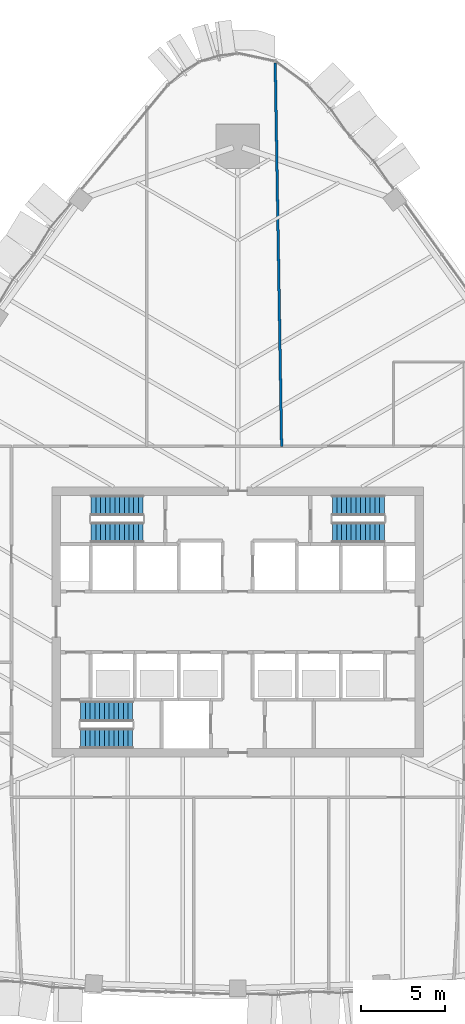
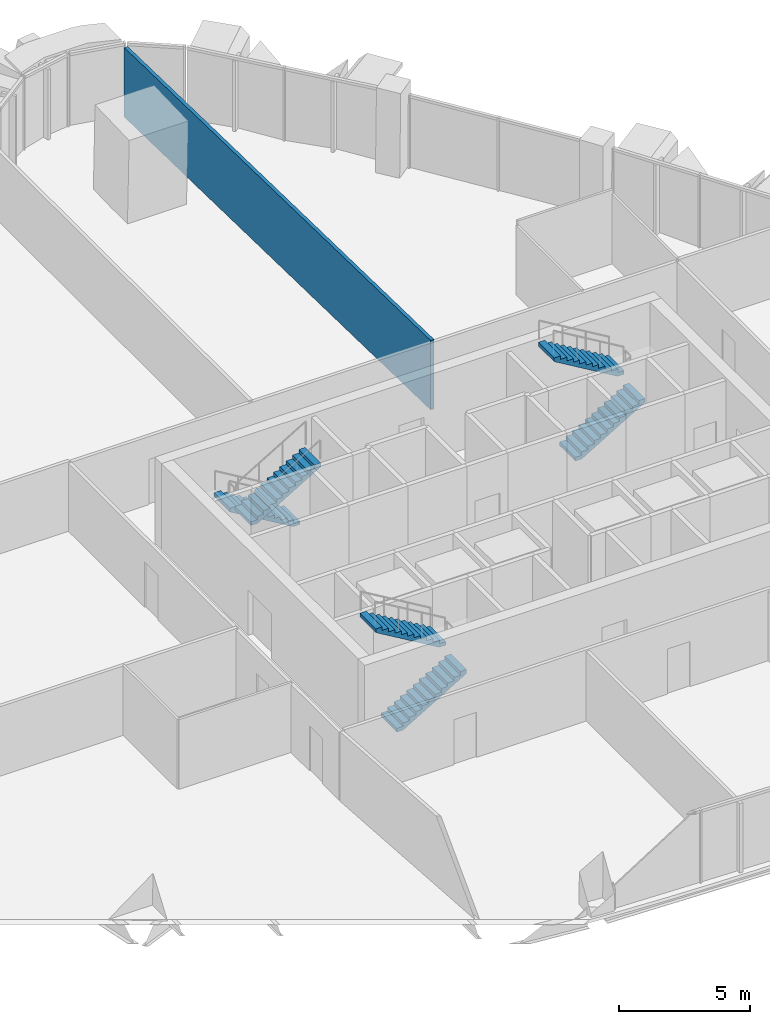
# One storey, part 13 of 17: 6 stair flights, 1 wall, 3 elements without a shape of their own.
"""IFC4 building model written with IfcOpenShell, lengths in metres."""

from ifc_helpers import new_model, si_unit, direction, frame, frame_2d, origin, place, context, subcontext, project, spatial, polyline, rectangle, outline, extrude, material, layer, layer_set, type_object, element, aggregate, save


model = new_model("IFC4")

# Units and contexts
model_context = context("Model", 3, precision=1e-05, world=origin(), true_north=direction((0.0, 1.0)))
body_context = subcontext(model_context, "Body", "Model", "MODEL_VIEW")
ifc_project = project(units=[si_unit("LENGTHUNIT", "METRE"), si_unit("AREAUNIT", "SQUARE_METRE"), si_unit("VOLUMEUNIT", "CUBIC_METRE"), si_unit("PLANEANGLEUNIT", "RADIAN"), si_unit("MASSUNIT", "GRAM", prefix="KILO")], contexts=[model_context])

# Site, building, storey
site_placement = place(None, origin())
site = spatial("IfcSite", under=ifc_project, at=site_placement, CompositionType="ELEMENT")
building_placement = place(site_placement, origin())
building = spatial("IfcBuilding", under=site, at=building_placement, Name="Sierra Prisma Convention Tower", CompositionType="ELEMENT")
storey_placement = place(building_placement, frame((0.0, 0.0, 149.800048828125)))
storey = spatial("IfcBuildingStorey", under=building, at=storey_placement, Name="L32", CompositionType="ELEMENT", Elevation=149.800048828125)

# Wall
ifc_material_1 = material(Name="Gypsum board partition", Category="gypsum")
ifc_layer = layer(ifc_material_1, 0.14990234375)
ifc_layer_set = layer_set([ifc_layer], Name="Party wall 150 gypsum")
wall_type = type_object("IfcWallType", Name="Party wall 150 gypsum", PredefinedType="PARTITIONING", material=ifc_layer_set)
wall_placement = place(storey_placement, frame((2.60009765625, 10.39990234375, 0.0), z_axis=(0.0, 0.0, 1.0), x_axis=(-0.01674277869, 0.999859829857, 0.0)))
element("IfcWall", 1, at=wall_placement, inside=storey, type_object=wall_type, Name="Partition L32 party 6", PredefinedType="PARTITIONING", context=body_context, shape_type="SweptSolid", body=[
    extrude(rectangle(XDim=22.718505859375, YDim=0.14990234375, at=frame_2d((11.359375, 0.0))), origin(), (0.0, 0.0, 1.0), 3.23388671875),
])

# Stair, stair flights
ifc_material_2 = material(Name="Concrete C30/37", Category="concrete")
stair_type = type_object("IfcStairType", Name="Stair dog-leg 1200 RC", PredefinedType="HALF_TURN_STAIR", material=ifc_material_2)
stair_1_placement = place(storey_placement, origin())
stair_1 = element("IfcStair", 2, at=stair_1_placement, inside=storey, type_object=stair_type, Name="L32 S1", PredefinedType="HALF_TURN_STAIR")
ifc_material_3 = material(Name="Concrete C30/37", Category="concrete")
stair_flight_type = type_object("IfcStairFlightType", Name="Stair flight RC 1200", PredefinedType="STRAIGHT", material=ifc_material_3)
stair_flight_1_placement = place(storey_placement, frame((-9.300048828125, -6.89990234375, 0.0), z_axis=(0.0, 0.0, 1.0), x_axis=(1.0, 0.0, 0.0)))
stair_flight_1 = element("IfcStairFlight", 3, at=stair_flight_1_placement, type_object=stair_flight_type, Name="S1 flight 1", NumberOfRisers=12, NumberOfTreads=11, PredefinedType="STRAIGHT", RiserHeight=0.166666667, TreadLength=0.28, context=body_context, shape_type="SweptSolid", body=[
    extrude(outline(polyline([(0.0, 0.0), (0.0, 0.166748046875), (0.280029296875, 0.166748046875), (0.280029296875, 0.333251953125), (0.56005859375, 0.333251953125), (0.56005859375, 0.5), (0.840087890625, 0.5), (0.840087890625, 0.666748046875), (1.1201171875, 0.666748046875), (1.1201171875, 0.833251953125), (1.39990234375, 0.833251953125), (1.39990234375, 1.0), (1.679931640625, 1.0), (1.679931640625, 1.166748046875), (1.9599609375, 1.166748046875), (1.9599609375, 1.333251953125), (2.239990234375, 1.333251953125), (2.239990234375, 1.5), (2.52001953125, 1.5), (2.52001953125, 1.666748046875), (2.800048828125, 1.666748046875), (2.800048828125, 1.833251953125), (3.080078125, 1.833251953125), (3.080078125, 2.0), (3.080078125, 1.658935546875), (0.29296875, 0.0), (0.0, 0.0)])), frame((0.0, 0.60009765625, 0.0), z_axis=(0.0, -1.0, 0.0), x_axis=(1.0, 0.0, 0.0)), (0.0, 0.0, 1.0), 1.199951171875),
])
stair_flight_2_placement = place(storey_placement, frame((-6.219970703125, -5.300048828125, 2.0), z_axis=(0.0, 0.0, 1.0), x_axis=(-1.0, 0.0, 0.0)))
stair_flight_2 = element("IfcStairFlight", 4, at=stair_flight_2_placement, type_object=stair_flight_type, Name="S1 flight 2", NumberOfRisers=12, NumberOfTreads=11, PredefinedType="STRAIGHT", RiserHeight=0.166666667, TreadLength=0.28, context=body_context, shape_type="SweptSolid", body=[
    extrude(outline(polyline([(0.0, 0.0), (0.0, 0.166748046875), (0.280029296875, 0.166748046875), (0.280029296875, 0.333251953125), (0.56005859375, 0.333251953125), (0.56005859375, 0.5), (0.840087890625, 0.5), (0.840087890625, 0.666748046875), (1.1201171875, 0.666748046875), (1.1201171875, 0.833251953125), (1.39990234375, 0.833251953125), (1.39990234375, 1.0), (1.679931640625, 1.0), (1.679931640625, 1.166748046875), (1.9599609375, 1.166748046875), (1.9599609375, 1.333251953125), (2.239990234375, 1.333251953125), (2.239990234375, 1.5), (2.52001953125, 1.5), (2.52001953125, 1.666748046875), (2.800048828125, 1.666748046875), (2.800048828125, 1.833251953125), (3.080078125, 1.833251953125), (3.080078125, 2.0), (3.080078125, 1.658935546875), (0.29296875, 0.0), (0.0, 0.0)])), frame((0.0, 0.60009765625, 0.0), z_axis=(0.0, -1.0, 0.0), x_axis=(1.0, 0.0, 0.0)), (0.0, 0.0, 1.0), 1.199951171875),
])
aggregate(stair_1, [stair_flight_1, stair_flight_2])

stair_2_placement = place(storey_placement, origin())
stair_2 = element("IfcStair", 5, at=stair_2_placement, inside=storey, type_object=stair_type, Name="L32 S3", PredefinedType="HALF_TURN_STAIR")
stair_flight_3_placement = place(storey_placement, frame((-5.60009765625, 6.89990234375, 0.0), z_axis=(0.0, 0.0, 1.0), x_axis=(-1.0, 0.0, 0.0)))
stair_flight_3 = element("IfcStairFlight", 6, at=stair_flight_3_placement, type_object=stair_flight_type, Name="S3 flight 1", NumberOfRisers=12, NumberOfTreads=11, PredefinedType="STRAIGHT", RiserHeight=0.166666667, TreadLength=0.28, context=body_context, shape_type="SweptSolid", body=[
    extrude(outline(polyline([(0.0, 0.0), (0.0, 0.166748046875), (0.280029296875, 0.166748046875), (0.280029296875, 0.333251953125), (0.56005859375, 0.333251953125), (0.56005859375, 0.5), (0.840087890625, 0.5), (0.840087890625, 0.666748046875), (1.1201171875, 0.666748046875), (1.1201171875, 0.833251953125), (1.39990234375, 0.833251953125), (1.39990234375, 1.0), (1.679931640625, 1.0), (1.679931640625, 1.166748046875), (1.9599609375, 1.166748046875), (1.9599609375, 1.333251953125), (2.239990234375, 1.333251953125), (2.239990234375, 1.5), (2.52001953125, 1.5), (2.52001953125, 1.666748046875), (2.800048828125, 1.666748046875), (2.800048828125, 1.833251953125), (3.080078125, 1.833251953125), (3.080078125, 2.0), (3.080078125, 1.658935546875), (0.29296875, 0.0), (0.0, 0.0)])), frame((0.0, 0.60009765625, 0.0), z_axis=(0.0, -1.0, 0.0), x_axis=(1.0, 0.0, 0.0)), (0.0, 0.0, 1.0), 1.199951171875),
])
stair_flight_4_placement = place(storey_placement, frame((-8.679931640625, 5.300048828125, 2.0), z_axis=(0.0, 0.0, 1.0), x_axis=(1.0, 0.0, 0.0)))
stair_flight_4 = element("IfcStairFlight", 7, at=stair_flight_4_placement, type_object=stair_flight_type, Name="S3 flight 2", NumberOfRisers=12, NumberOfTreads=11, PredefinedType="STRAIGHT", RiserHeight=0.166666667, TreadLength=0.28, context=body_context, shape_type="SweptSolid", body=[
    extrude(outline(polyline([(0.0, 0.0), (0.0, 0.166748046875), (0.280029296875, 0.166748046875), (0.280029296875, 0.333251953125), (0.56005859375, 0.333251953125), (0.56005859375, 0.5), (0.840087890625, 0.5), (0.840087890625, 0.666748046875), (1.1201171875, 0.666748046875), (1.1201171875, 0.833251953125), (1.39990234375, 0.833251953125), (1.39990234375, 1.0), (1.679931640625, 1.0), (1.679931640625, 1.166748046875), (1.9599609375, 1.166748046875), (1.9599609375, 1.333251953125), (2.239990234375, 1.333251953125), (2.239990234375, 1.5), (2.52001953125, 1.5), (2.52001953125, 1.666748046875), (2.800048828125, 1.666748046875), (2.800048828125, 1.833251953125), (3.080078125, 1.833251953125), (3.080078125, 2.0), (3.080078125, 1.658935546875), (0.29296875, 0.0), (0.0, 0.0)])), frame((0.0, 0.60009765625, 0.0), z_axis=(0.0, -1.0, 0.0), x_axis=(1.0, 0.0, 0.0)), (0.0, 0.0, 1.0), 1.199951171875),
])
aggregate(stair_2, [stair_flight_3, stair_flight_4])

stair_3_placement = place(storey_placement, origin())
stair_3 = element("IfcStair", 8, at=stair_3_placement, inside=storey, type_object=stair_type, Name="L32 S4", PredefinedType="HALF_TURN_STAIR")
stair_flight_5_placement = place(storey_placement, frame((5.60009765625, 5.300048828125, 0.0), z_axis=(0.0, 0.0, 1.0), x_axis=(1.0, 0.0, 0.0)))
stair_flight_5 = element("IfcStairFlight", 9, at=stair_flight_5_placement, type_object=stair_flight_type, Name="S4 flight 1", NumberOfRisers=12, NumberOfTreads=11, PredefinedType="STRAIGHT", RiserHeight=0.166666667, TreadLength=0.28, context=body_context, shape_type="SweptSolid", body=[
    extrude(outline(polyline([(0.0, 0.0), (0.0, 0.166748046875), (0.280029296875, 0.166748046875), (0.280029296875, 0.333251953125), (0.56005859375, 0.333251953125), (0.56005859375, 0.5), (0.840087890625, 0.5), (0.840087890625, 0.666748046875), (1.1201171875, 0.666748046875), (1.1201171875, 0.833251953125), (1.39990234375, 0.833251953125), (1.39990234375, 1.0), (1.679931640625, 1.0), (1.679931640625, 1.166748046875), (1.9599609375, 1.166748046875), (1.9599609375, 1.333251953125), (2.239990234375, 1.333251953125), (2.239990234375, 1.5), (2.52001953125, 1.5), (2.52001953125, 1.666748046875), (2.800048828125, 1.666748046875), (2.800048828125, 1.833251953125), (3.080078125, 1.833251953125), (3.080078125, 2.0), (3.080078125, 1.658935546875), (0.29296875, 0.0), (0.0, 0.0)])), frame((0.0, 0.60009765625, 0.0), z_axis=(0.0, -1.0, 0.0), x_axis=(1.0, 0.0, 0.0)), (0.0, 0.0, 1.0), 1.199951171875),
])
stair_flight_6_placement = place(storey_placement, frame((8.679931640625, 6.89990234375, 2.0), z_axis=(0.0, 0.0, 1.0), x_axis=(-1.0, 0.0, 0.0)))
stair_flight_6 = element("IfcStairFlight", 10, at=stair_flight_6_placement, type_object=stair_flight_type, Name="S4 flight 2", NumberOfRisers=12, NumberOfTreads=11, PredefinedType="STRAIGHT", RiserHeight=0.166666667, TreadLength=0.28, context=body_context, shape_type="SweptSolid", body=[
    extrude(outline(polyline([(0.0, 0.0), (0.0, 0.166748046875), (0.280029296875, 0.166748046875), (0.280029296875, 0.333251953125), (0.56005859375, 0.333251953125), (0.56005859375, 0.5), (0.840087890625, 0.5), (0.840087890625, 0.666748046875), (1.1201171875, 0.666748046875), (1.1201171875, 0.833251953125), (1.39990234375, 0.833251953125), (1.39990234375, 1.0), (1.679931640625, 1.0), (1.679931640625, 1.166748046875), (1.9599609375, 1.166748046875), (1.9599609375, 1.333251953125), (2.239990234375, 1.333251953125), (2.239990234375, 1.5), (2.52001953125, 1.5), (2.52001953125, 1.666748046875), (2.800048828125, 1.666748046875), (2.800048828125, 1.833251953125), (3.080078125, 1.833251953125), (3.080078125, 2.0), (3.080078125, 1.658935546875), (0.29296875, 0.0), (0.0, 0.0)])), frame((0.0, 0.60009765625, 0.0), z_axis=(0.0, -1.0, 0.0), x_axis=(1.0, 0.0, 0.0)), (0.0, 0.0, 1.0), 1.199951171875),
])
aggregate(stair_3, [stair_flight_5, stair_flight_6])

save(model, "model.ifc")
